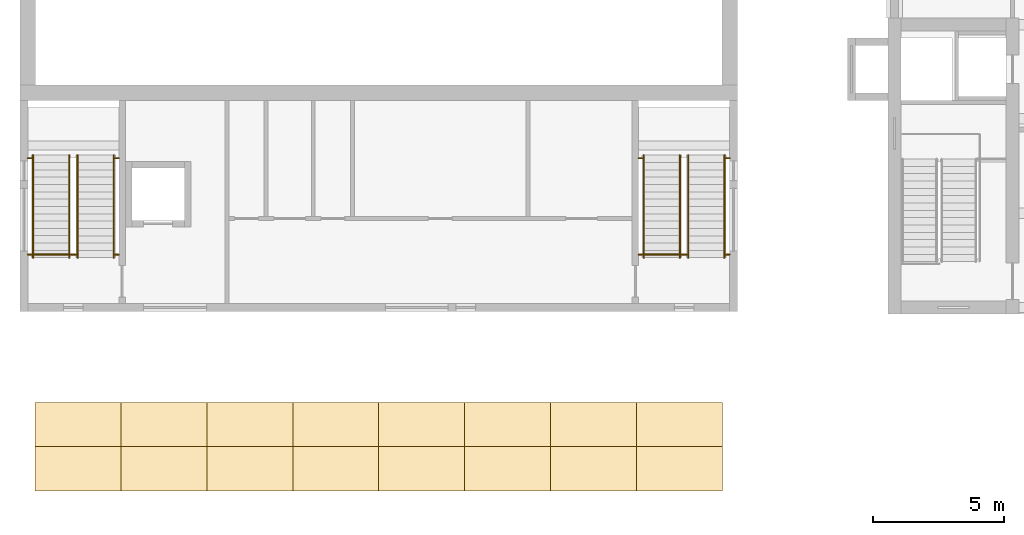
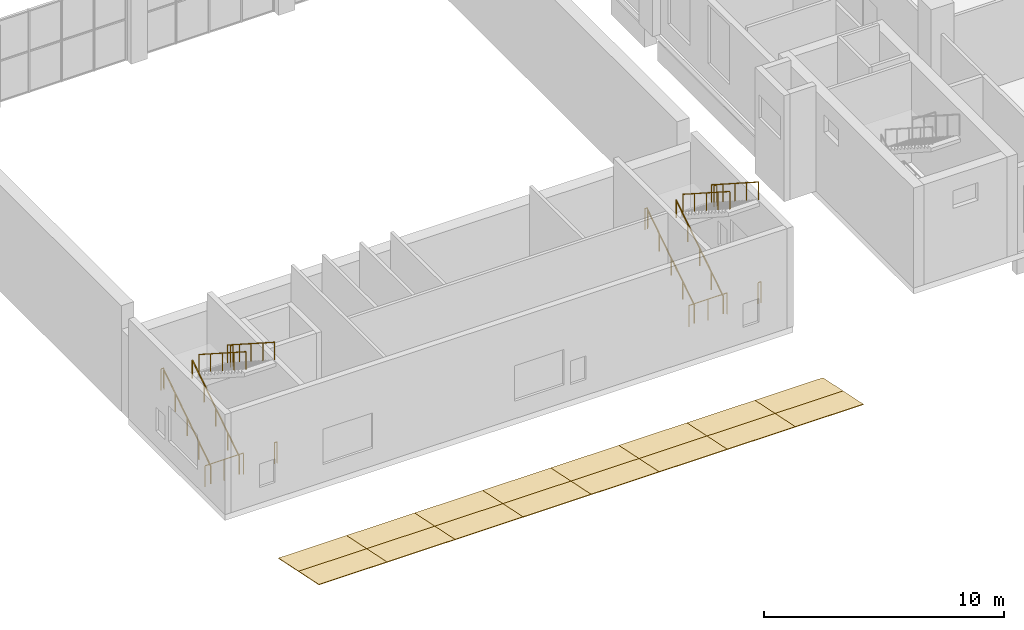
# One storey, part 29 of 33: 16 coverings, 16 railings.
"""IFC4 building model written with IfcOpenShell, lengths in metres."""

from ifc_helpers import new_model, si_unit, direction, frame, origin, origin_2d, place, context, subcontext, project, spatial, polyline, circle, outline, extrude, material, layer, layer_set, type_object, element, save


model = new_model("IFC4")

# Units and contexts
model_context = context("Model", 3, precision=1e-05, world=origin(), true_north=direction((0.0, 1.0)))
body_context = subcontext(model_context, "Body", "Model", "MODEL_VIEW")
ifc_project = project(units=[si_unit("LENGTHUNIT", "METRE"), si_unit("AREAUNIT", "SQUARE_METRE"), si_unit("VOLUMEUNIT", "CUBIC_METRE"), si_unit("PLANEANGLEUNIT", "RADIAN"), si_unit("MASSUNIT", "GRAM", prefix="KILO")], contexts=[model_context])

# Site, building, storey
site_placement = place(None, origin())
site = spatial("IfcSite", under=ifc_project, at=site_placement, CompositionType="ELEMENT")
building_placement = place(site_placement, origin())
building = spatial("IfcBuilding", under=site, at=building_placement, Name="Basin Gate Institute", CompositionType="ELEMENT")
storey_placement = place(building_placement, frame((0.0, 0.0, 6.0)))
storey = spatial("IfcBuildingStorey", under=building, at=storey_placement, Name="L01", CompositionType="ELEMENT", Elevation=6.0)

# Railings
ifc_material_1 = material(Name="Stainless steel tube and glass infill", Category="steel")
railing_type_1 = type_object("IfcRailingType", Name="Block railing 1100", PredefinedType="GUARDRAIL", material=ifc_material_1)
railing_1_placement = place(storey_placement, frame((28.10009765625, 37.1201171875, 0.0)))
element("IfcRailing", 1, at=railing_1_placement, inside=storey, type_object=railing_type_1, material=ifc_material_1, Name="Guard stairwell ST-T1 L01", PredefinedType="GUARDRAIL", context=body_context, shape_type="SweptSolid", body=[
    extrude(circle(Radius=0.02392578125, at=origin_2d()), frame((0.0, 0.0, 1.076171875), z_axis=(1.0, 0.0, 0.0), x_axis=(0.0, 1.0, 0.0)), (0.0, 0.0, 1.0), 1.83740234375),
    extrude(circle(Radius=0.02099609375, at=origin_2d()), origin(), (0.0, 0.0, 1.0), 1.052001953125),
    extrude(circle(Radius=0.02099609375, at=origin_2d()), frame((0.918701171875, 0.0, 0.0)), (0.0, 0.0, 1.0), 1.052001953125),
    extrude(circle(Radius=0.02099609375, at=origin_2d()), frame((1.83740234375, 0.0, 0.0)), (0.0, 0.0, 1.0), 1.052001953125),
])
for number, where, name in (
    (2, (31.4375, 37.1201171875, 0.0), "Guard stairwell ST-T1 L01 east"),
    (3, (28.10009765625, 40.800048828125, 2.699951171875), "Guard stair landing ST-T2 L01"),
    (4, (31.4375, 40.800048828125, 2.699951171875), "Guard stair landing ST-T2 L01"),
):
    element("IfcRailing", number, at=place(storey_placement, frame(where)), inside=storey, type_object=railing_type_1, material=ifc_material_1, Name=name, PredefinedType="GUARDRAIL", context=body_context, shape_type="SweptSolid", body=[
        extrude(circle(Radius=0.02392578125, at=origin_2d()), frame((0.0, 0.0, 1.076171875), z_axis=(1.0, 0.0, 0.0), x_axis=(0.0, 1.0, 0.0)), (0.0, 0.0, 1.0), 0.137451171875),
        extrude(circle(Radius=0.02099609375, at=origin_2d()), origin(), (0.0, 0.0, 1.0), 1.052001953125),
        extrude(circle(Radius=0.02099609375, at=origin_2d()), frame((0.137451171875, 0.0, 0.0)), (0.0, 0.0, 1.0), 1.052001953125),
    ])
railing_2_placement = place(storey_placement, frame((51.425048828125, 37.1201171875, 0.0)))
element("IfcRailing", 5, at=railing_2_placement, inside=storey, type_object=railing_type_1, material=ifc_material_1, Name="Guard stairwell ST-T3 L01", PredefinedType="GUARDRAIL", context=body_context, shape_type="SweptSolid", body=[
    extrude(circle(Radius=0.02392578125, at=origin_2d()), frame((0.0, 0.0, 1.076171875), z_axis=(1.0, 0.0, 0.0), x_axis=(0.0, 1.0, 0.0)), (0.0, 0.0, 1.0), 1.83740234375),
    extrude(circle(Radius=0.02099609375, at=origin_2d()), origin(), (0.0, 0.0, 1.0), 1.052001953125),
    extrude(circle(Radius=0.02099609375, at=origin_2d()), frame((0.918701171875, 0.0, 0.0)), (0.0, 0.0, 1.0), 1.052001953125),
    extrude(circle(Radius=0.02099609375, at=origin_2d()), frame((1.83740234375, 0.0, 0.0)), (0.0, 0.0, 1.0), 1.052001953125),
])
for number, where, name in (
    (6, (54.762451171875, 37.1201171875, 0.0), "Guard stairwell ST-T3 L01 east"),
    (7, (51.425048828125, 40.800048828125, 2.699951171875), "Guard stair landing ST-T4 L01"),
    (8, (54.762451171875, 40.800048828125, 2.699951171875), "Guard stair landing ST-T4 L01"),
):
    element("IfcRailing", number, at=place(storey_placement, frame(where)), inside=storey, type_object=railing_type_1, material=ifc_material_1, Name=name, PredefinedType="GUARDRAIL", context=body_context, shape_type="SweptSolid", body=[
        extrude(circle(Radius=0.02392578125, at=origin_2d()), frame((0.0, 0.0, 1.076171875), z_axis=(1.0, 0.0, 0.0), x_axis=(0.0, 1.0, 0.0)), (0.0, 0.0, 1.0), 0.137451171875),
        extrude(circle(Radius=0.02099609375, at=origin_2d()), origin(), (0.0, 0.0, 1.0), 1.052001953125),
        extrude(circle(Radius=0.02099609375, at=origin_2d()), frame((0.137451171875, 0.0, 0.0)), (0.0, 0.0, 1.0), 1.052001953125),
    ])
ifc_material_2 = material(Name="Stainless steel tube and glass infill", Category="steel")
railing_type_2 = type_object("IfcRailingType", Name="Block railing 920", PredefinedType="HANDRAIL", material=ifc_material_2)
for number, where, name in (
    (9, (28.297607421875, 37.0, 0.179931640625), "Handrail ST-T2 flight 1"),
    (10, (29.677490234375, 37.0, 0.179931640625), "Handrail ST-T2 flight 1"),
):
    element("IfcRailing", number, at=place(storey_placement, frame(where)), inside=storey, type_object=railing_type_2, material=ifc_material_2, Name=name, PredefinedType="HANDRAIL", context=body_context, shape_type="SweptSolid", body=[
        extrude(circle(Radius=0.02392578125, at=origin_2d()), frame((0.0, 0.0, 0.89599609375), z_axis=(0.0, 0.841171666519, 0.540768182723), x_axis=(-1.0, 0.0, 0.0)), (0.0, 0.0, 1.0), 4.66015625),
        extrude(circle(Radius=0.02099609375, at=origin_2d()), origin(), (0.0, 0.0, 1.0), 0.871826171875),
        extrude(circle(Radius=0.02099609375, at=origin_2d()), frame((0.0, 0.97998046875, 0.6298828125)), (0.0, 0.0, 1.0), 0.871826171875),
        extrude(circle(Radius=0.02099609375, at=origin_2d()), frame((0.0, 1.9599609375, 1.260009765625)), (0.0, 0.0, 1.0), 0.871826171875),
        extrude(circle(Radius=0.02099609375, at=origin_2d()), frame((0.0, 2.93994140625, 1.89013671875)), (0.0, 0.0, 1.0), 0.871826171875),
        extrude(circle(Radius=0.02099609375, at=origin_2d()), frame((0.0, 3.919921875, 2.52001953125)), (0.0, 0.0, 1.0), 0.871826171875),
    ])
for number, where, name in (
    (11, (29.99755859375, 40.919921875, 2.8798828125), "Handrail ST-T2 flight 2"),
    (12, (31.37744140625, 40.919921875, 2.8798828125), "Handrail ST-T2 flight 2"),
):
    element("IfcRailing", number, at=place(storey_placement, frame(where)), inside=storey, type_object=railing_type_2, material=ifc_material_2, Name=name, PredefinedType="HANDRAIL", context=body_context, shape_type="SweptSolid", body=[
        extrude(circle(Radius=0.02392578125, at=origin_2d()), frame((0.0, 0.0, 0.89599609375), z_axis=(0.0, -0.841171666519, 0.540768182723), x_axis=(1.0, 0.0, 0.0)), (0.0, 0.0, 1.0), 4.66015625),
        extrude(circle(Radius=0.02099609375, at=origin_2d()), origin(), (0.0, 0.0, 1.0), 0.871826171875),
        extrude(circle(Radius=0.02099609375, at=origin_2d()), frame((0.0, -0.97998046875, 0.6298828125)), (0.0, 0.0, 1.0), 0.871826171875),
        extrude(circle(Radius=0.02099609375, at=origin_2d()), frame((0.0, -1.9599609375, 1.260009765625)), (0.0, 0.0, 1.0), 0.871826171875),
        extrude(circle(Radius=0.02099609375, at=origin_2d()), frame((0.0, -2.93994140625, 1.89013671875)), (0.0, 0.0, 1.0), 0.871826171875),
        extrude(circle(Radius=0.02099609375, at=origin_2d()), frame((0.0, -3.919921875, 2.52001953125)), (0.0, 0.0, 1.0), 0.871826171875),
    ])
for number, where, name in (
    (13, (51.62255859375, 37.0, 0.179931640625), "Handrail ST-T4 flight 1"),
    (14, (53.00244140625, 37.0, 0.179931640625), "Handrail ST-T4 flight 1"),
):
    element("IfcRailing", number, at=place(storey_placement, frame(where)), inside=storey, type_object=railing_type_2, material=ifc_material_2, Name=name, PredefinedType="HANDRAIL", context=body_context, shape_type="SweptSolid", body=[
        extrude(circle(Radius=0.02392578125, at=origin_2d()), frame((0.0, 0.0, 0.89599609375), z_axis=(0.0, 0.841171666519, 0.540768182723), x_axis=(-1.0, 0.0, 0.0)), (0.0, 0.0, 1.0), 4.66015625),
        extrude(circle(Radius=0.02099609375, at=origin_2d()), origin(), (0.0, 0.0, 1.0), 0.871826171875),
        extrude(circle(Radius=0.02099609375, at=origin_2d()), frame((0.0, 0.97998046875, 0.6298828125)), (0.0, 0.0, 1.0), 0.871826171875),
        extrude(circle(Radius=0.02099609375, at=origin_2d()), frame((0.0, 1.9599609375, 1.260009765625)), (0.0, 0.0, 1.0), 0.871826171875),
        extrude(circle(Radius=0.02099609375, at=origin_2d()), frame((0.0, 2.93994140625, 1.89013671875)), (0.0, 0.0, 1.0), 0.871826171875),
        extrude(circle(Radius=0.02099609375, at=origin_2d()), frame((0.0, 3.919921875, 2.52001953125)), (0.0, 0.0, 1.0), 0.871826171875),
    ])
for number, where, name in (
    (15, (53.322509765625, 40.919921875, 2.8798828125), "Handrail ST-T4 flight 2"),
    (16, (54.702392578125, 40.919921875, 2.8798828125), "Handrail ST-T4 flight 2"),
):
    element("IfcRailing", number, at=place(storey_placement, frame(where)), inside=storey, type_object=railing_type_2, material=ifc_material_2, Name=name, PredefinedType="HANDRAIL", context=body_context, shape_type="SweptSolid", body=[
        extrude(circle(Radius=0.02392578125, at=origin_2d()), frame((0.0, 0.0, 0.89599609375), z_axis=(0.0, -0.841171666519, 0.540768182723), x_axis=(1.0, 0.0, 0.0)), (0.0, 0.0, 1.0), 4.66015625),
        extrude(circle(Radius=0.02099609375, at=origin_2d()), origin(), (0.0, 0.0, 1.0), 0.871826171875),
        extrude(circle(Radius=0.02099609375, at=origin_2d()), frame((0.0, -0.97998046875, 0.6298828125)), (0.0, 0.0, 1.0), 0.871826171875),
        extrude(circle(Radius=0.02099609375, at=origin_2d()), frame((0.0, -1.9599609375, 1.260009765625)), (0.0, 0.0, 1.0), 0.871826171875),
        extrude(circle(Radius=0.02099609375, at=origin_2d()), frame((0.0, -2.93994140625, 1.89013671875)), (0.0, 0.0, 1.0), 0.871826171875),
        extrude(circle(Radius=0.02099609375, at=origin_2d()), frame((0.0, -3.919921875, 2.52001953125)), (0.0, 0.0, 1.0), 0.871826171875),
    ])

# Coverings
ifc_material_3 = material(Name="Laminated toughened glass", Category="glass")
ifc_layer = layer(ifc_material_3, 0.030029296875)
ifc_layer_set = layer_set([ifc_layer], Name="Foyer roof glazing panel PN86")
covering_type = type_object("IfcCoveringType", Name="Foyer roof glazing panel PN86", PredefinedType="ROOFING", material=ifc_layer_set)
covering_1_placement = place(storey_placement, frame((28.375, 28.10009765625, 0.39990234375), z_axis=(0.0, 0.203003763425, 0.979177957286), x_axis=(1.0, 0.0, 0.0)))
element("IfcCovering", 17, at=covering_1_placement, inside=storey, type_object=covering_type, material=ifc_layer_set, Name="Foyer roof glazing panel 1-1", PredefinedType="ROOFING", context=body_context, shape_type="SweptSolid", body=[
    extrude(outline(polyline([(0.0, 0.0), (3.28125, 0.0), (3.28125, 1.7233843832399005), (0.0, 1.7233843832399005), (0.0, 0.0)])), origin(), (0.0, 0.0, -1.0), 0.030029296875),
])
covering_2_placement = place(storey_placement, frame((28.375, 29.78759765625, 0.050048828125), z_axis=(0.0, 0.203139583015, 0.979149789262), x_axis=(1.0, 0.0, 0.0)))
element("IfcCovering", 18, at=covering_2_placement, inside=storey, type_object=covering_type, material=ifc_layer_set, Name="Foyer roof glazing panel 1-2", PredefinedType="ROOFING", context=body_context, shape_type="SweptSolid", body=[
    extrude(outline(polyline([(0.0, 0.0), (3.28125, 0.0), (3.28125, 1.7234339612853586), (0.0, 1.7234339612853586), (0.0, 0.0)])), origin(), (0.0, 0.0, -1.0), 0.030029296875),
])
covering_3_placement = place(storey_placement, frame((31.65625, 28.10009765625, 0.39990234375), z_axis=(0.0, 0.203003763425, 0.979177957286), x_axis=(1.0, 0.0, 0.0)))
element("IfcCovering", 19, at=covering_3_placement, inside=storey, type_object=covering_type, material=ifc_layer_set, Name="Foyer roof glazing panel 2-1", PredefinedType="ROOFING", context=body_context, shape_type="SweptSolid", body=[
    extrude(outline(polyline([(0.0, 0.0), (3.28125, 0.0), (3.28125, 1.7233843832399005), (0.0, 1.7233843832399005), (0.0, 0.0)])), origin(), (0.0, 0.0, -1.0), 0.030029296875),
])
covering_4_placement = place(storey_placement, frame((31.65625, 29.78759765625, 0.050048828125), z_axis=(0.0, 0.203139583015, 0.979149789262), x_axis=(1.0, 0.0, 0.0)))
element("IfcCovering", 20, at=covering_4_placement, inside=storey, type_object=covering_type, material=ifc_layer_set, Name="Foyer roof glazing panel 2-2", PredefinedType="ROOFING", context=body_context, shape_type="SweptSolid", body=[
    extrude(outline(polyline([(0.0, 0.0), (3.28125, 0.0), (3.28125, 1.7234339612853586), (0.0, 1.7234339612853586), (0.0, 0.0)])), origin(), (0.0, 0.0, -1.0), 0.030029296875),
])
covering_5_placement = place(storey_placement, frame((34.9375, 28.10009765625, 0.39990234375), z_axis=(0.0, 0.203003763425, 0.979177957286), x_axis=(1.0, 0.0, 0.0)))
element("IfcCovering", 21, at=covering_5_placement, inside=storey, type_object=covering_type, material=ifc_layer_set, Name="Foyer roof glazing panel 3-1", PredefinedType="ROOFING", context=body_context, shape_type="SweptSolid", body=[
    extrude(outline(polyline([(0.0, 0.0), (3.28125, 0.0), (3.28125, 1.7233843832399005), (0.0, 1.7233843832399005), (0.0, 0.0)])), origin(), (0.0, 0.0, -1.0), 0.030029296875),
])
covering_6_placement = place(storey_placement, frame((34.9375, 29.78759765625, 0.050048828125), z_axis=(0.0, 0.203139583015, 0.979149789262), x_axis=(1.0, 0.0, 0.0)))
element("IfcCovering", 22, at=covering_6_placement, inside=storey, type_object=covering_type, material=ifc_layer_set, Name="Foyer roof glazing panel 3-2", PredefinedType="ROOFING", context=body_context, shape_type="SweptSolid", body=[
    extrude(outline(polyline([(0.0, 0.0), (3.28125, 0.0), (3.28125, 1.7234339612853586), (0.0, 1.7234339612853586), (0.0, 0.0)])), origin(), (0.0, 0.0, -1.0), 0.030029296875),
])
covering_7_placement = place(storey_placement, frame((38.21875, 28.10009765625, 0.39990234375), z_axis=(0.0, 0.203003763425, 0.979177957286), x_axis=(1.0, 0.0, 0.0)))
element("IfcCovering", 23, at=covering_7_placement, inside=storey, type_object=covering_type, material=ifc_layer_set, Name="Foyer roof glazing panel 4-1", PredefinedType="ROOFING", context=body_context, shape_type="SweptSolid", body=[
    extrude(outline(polyline([(0.0, 0.0), (3.28125, 0.0), (3.28125, 1.7233843832399005), (0.0, 1.7233843832399005), (0.0, 0.0)])), origin(), (0.0, 0.0, -1.0), 0.030029296875),
])
covering_8_placement = place(storey_placement, frame((38.21875, 29.78759765625, 0.050048828125), z_axis=(0.0, 0.203139583015, 0.979149789262), x_axis=(1.0, 0.0, 0.0)))
element("IfcCovering", 24, at=covering_8_placement, inside=storey, type_object=covering_type, material=ifc_layer_set, Name="Foyer roof glazing panel 4-2", PredefinedType="ROOFING", context=body_context, shape_type="SweptSolid", body=[
    extrude(outline(polyline([(0.0, 0.0), (3.28125, 0.0), (3.28125, 1.7234339612853586), (0.0, 1.7234339612853586), (0.0, 0.0)])), origin(), (0.0, 0.0, -1.0), 0.030029296875),
])
covering_9_placement = place(storey_placement, frame((41.5, 28.10009765625, 0.39990234375), z_axis=(0.0, 0.203003763425, 0.979177957286), x_axis=(1.0, 0.0, 0.0)))
element("IfcCovering", 25, at=covering_9_placement, inside=storey, type_object=covering_type, material=ifc_layer_set, Name="Foyer roof glazing panel 5-1", PredefinedType="ROOFING", context=body_context, shape_type="SweptSolid", body=[
    extrude(outline(polyline([(0.0, 0.0), (3.28125, 0.0), (3.28125, 1.7233843832399005), (0.0, 1.7233843832399005), (0.0, 0.0)])), origin(), (0.0, 0.0, -1.0), 0.030029296875),
])
covering_10_placement = place(storey_placement, frame((41.5, 29.78759765625, 0.050048828125), z_axis=(0.0, 0.203139583015, 0.979149789262), x_axis=(1.0, 0.0, 0.0)))
element("IfcCovering", 26, at=covering_10_placement, inside=storey, type_object=covering_type, material=ifc_layer_set, Name="Foyer roof glazing panel 5-2", PredefinedType="ROOFING", context=body_context, shape_type="SweptSolid", body=[
    extrude(outline(polyline([(0.0, 0.0), (3.28125, 0.0), (3.28125, 1.7234339612853586), (0.0, 1.7234339612853586), (0.0, 0.0)])), origin(), (0.0, 0.0, -1.0), 0.030029296875),
])
covering_11_placement = place(storey_placement, frame((44.78125, 28.10009765625, 0.39990234375), z_axis=(0.0, 0.203003763425, 0.979177957286), x_axis=(1.0, 0.0, 0.0)))
element("IfcCovering", 27, at=covering_11_placement, inside=storey, type_object=covering_type, material=ifc_layer_set, Name="Foyer roof glazing panel 6-1", PredefinedType="ROOFING", context=body_context, shape_type="SweptSolid", body=[
    extrude(outline(polyline([(0.0, 0.0), (3.28125, 0.0), (3.28125, 1.7233843832399005), (0.0, 1.7233843832399005), (0.0, 0.0)])), origin(), (0.0, 0.0, -1.0), 0.030029296875),
])
covering_12_placement = place(storey_placement, frame((44.78125, 29.78759765625, 0.050048828125), z_axis=(0.0, 0.203139583015, 0.979149789262), x_axis=(1.0, 0.0, 0.0)))
element("IfcCovering", 28, at=covering_12_placement, inside=storey, type_object=covering_type, material=ifc_layer_set, Name="Foyer roof glazing panel 6-2", PredefinedType="ROOFING", context=body_context, shape_type="SweptSolid", body=[
    extrude(outline(polyline([(0.0, 0.0), (3.28125, 0.0), (3.28125, 1.7234339612853586), (0.0, 1.7234339612853586), (0.0, 0.0)])), origin(), (0.0, 0.0, -1.0), 0.030029296875),
])
covering_13_placement = place(storey_placement, frame((48.0625, 28.10009765625, 0.39990234375), z_axis=(0.0, 0.203003763425, 0.979177957286), x_axis=(1.0, 0.0, 0.0)))
element("IfcCovering", 29, at=covering_13_placement, inside=storey, type_object=covering_type, material=ifc_layer_set, Name="Foyer roof glazing panel 7-1", PredefinedType="ROOFING", context=body_context, shape_type="SweptSolid", body=[
    extrude(outline(polyline([(0.0, 0.0), (3.28125, 0.0), (3.28125, 1.7233843832399005), (0.0, 1.7233843832399005), (0.0, 0.0)])), origin(), (0.0, 0.0, -1.0), 0.030029296875),
])
covering_14_placement = place(storey_placement, frame((48.0625, 29.78759765625, 0.050048828125), z_axis=(0.0, 0.203139583015, 0.979149789262), x_axis=(1.0, 0.0, 0.0)))
element("IfcCovering", 30, at=covering_14_placement, inside=storey, type_object=covering_type, material=ifc_layer_set, Name="Foyer roof glazing panel 7-2", PredefinedType="ROOFING", context=body_context, shape_type="SweptSolid", body=[
    extrude(outline(polyline([(0.0, 0.0), (3.28125, 0.0), (3.28125, 1.7234339612853586), (0.0, 1.7234339612853586), (0.0, 0.0)])), origin(), (0.0, 0.0, -1.0), 0.030029296875),
])
covering_15_placement = place(storey_placement, frame((51.34375, 28.10009765625, 0.39990234375), z_axis=(0.0, 0.203003763425, 0.979177957286), x_axis=(1.0, 0.0, 0.0)))
element("IfcCovering", 31, at=covering_15_placement, inside=storey, type_object=covering_type, material=ifc_layer_set, Name="Foyer roof glazing panel 8-1", PredefinedType="ROOFING", context=body_context, shape_type="SweptSolid", body=[
    extrude(outline(polyline([(0.0, 0.0), (3.28125, 0.0), (3.28125, 1.7233843832399005), (0.0, 1.7233843832399005), (0.0, 0.0)])), origin(), (0.0, 0.0, -1.0), 0.030029296875),
])
covering_16_placement = place(storey_placement, frame((51.34375, 29.78759765625, 0.050048828125), z_axis=(0.0, 0.203139583015, 0.979149789262), x_axis=(1.0, 0.0, 0.0)))
element("IfcCovering", 32, at=covering_16_placement, inside=storey, type_object=covering_type, material=ifc_layer_set, Name="Foyer roof glazing panel 8-2", PredefinedType="ROOFING", context=body_context, shape_type="SweptSolid", body=[
    extrude(outline(polyline([(0.0, 0.0), (3.28125, 0.0), (3.28125, 1.7234339612853586), (0.0, 1.7234339612853586), (0.0, 0.0)])), origin(), (0.0, 0.0, -1.0), 0.030029296875),
])

save(model, "model.ifc")
